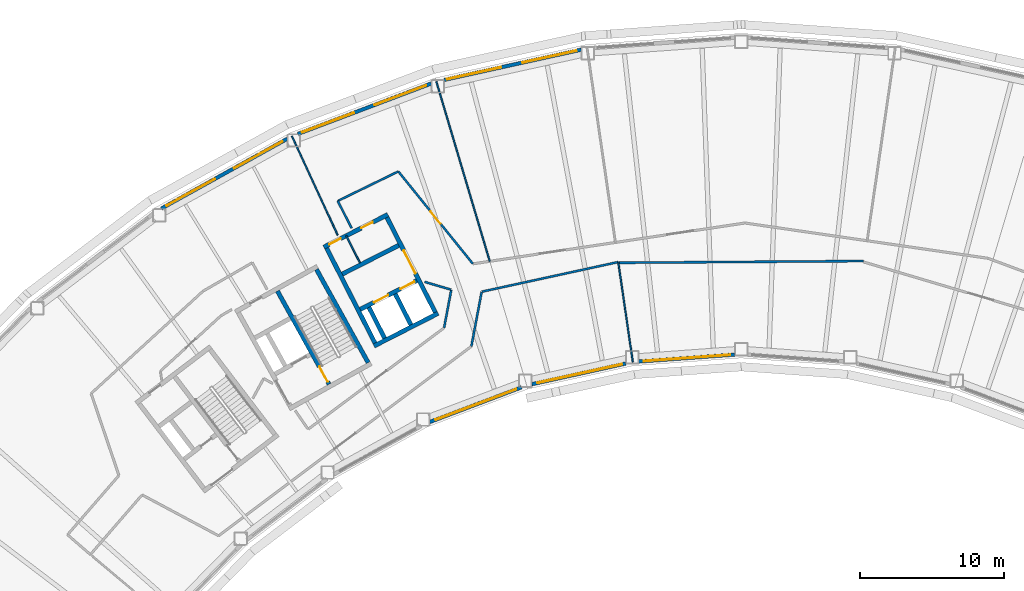
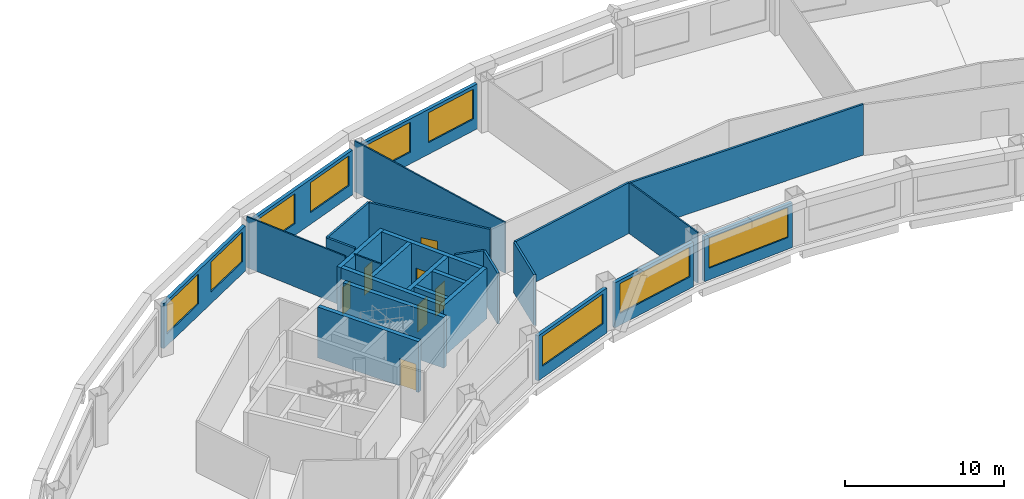
# One storey, part 6 of 12: 28 walls, 9 windows, 7 doors, 16 openings.
"""IFC4 building model written with IfcOpenShell, lengths in metres."""

from ifc_helpers import new_model, si_unit, direction, frame, frame_2d, origin, place, context, subcontext, project, spatial, rectangle, extrude, material, layer, layer_set, type_object, element, fill, save


model = new_model("IFC4")

# Units and contexts
model_context = context("Model", 3, precision=1e-05, world=origin(), true_north=direction((0.0, 1.0)))
body_context = subcontext(model_context, "Body", "Model", "MODEL_VIEW")
ifc_project = project(units=[si_unit("LENGTHUNIT", "METRE"), si_unit("AREAUNIT", "SQUARE_METRE"), si_unit("VOLUMEUNIT", "CUBIC_METRE"), si_unit("PLANEANGLEUNIT", "RADIAN"), si_unit("MASSUNIT", "GRAM", prefix="KILO")], contexts=[model_context])

# Site, building, storey
site_placement = place(None, origin())
site = spatial("IfcSite", under=ifc_project, at=site_placement, CompositionType="ELEMENT")
building_placement = place(site_placement, origin())
building = spatial("IfcBuilding", under=site, at=building_placement, Name="Tuul Gate Civic Tower", CompositionType="ELEMENT")
storey_placement = place(building_placement, frame((0.0, 0.0, 176.300048828125)))
storey = spatial("IfcBuildingStorey", under=building, at=storey_placement, Name="Level 40", CompositionType="ELEMENT", Elevation=176.300048828125)

# Wall
ifc_material_1 = material(Name="Concrete C50/60", Category="concrete")
ifc_layer_1 = layer(ifc_material_1, 0.300048828125)
ifc_layer_set_1 = layer_set([ifc_layer_1], Name="Concrete C50/60")
wall_type_1 = type_object("IfcWallType", Name="Core wall C50/60", PredefinedType="SHEAR", material=ifc_layer_set_1)
wall_1_placement = place(storey_placement, frame((-24.91552734375, -8.6572265625, 0.0), z_axis=(0.0, 0.0, 1.0), x_axis=(-0.484777133038, 0.874637714304, 0.0)))
element("IfcWall", 1, at=wall_1_placement, inside=storey, type_object=wall_type_1, Name="Core wall", PredefinedType="SHEAR", context=body_context, shape_type="SweptSolid", body=[
    extrude(rectangle(XDim=7.400146484375, YDim=0.300048828125, at=frame_2d((3.7001953125, 0.0))), origin(), (0.0, 0.0, 1.0), 3.89990234375),
])

# Wall, opening, door
wall_2_placement = place(storey_placement, frame((-27.626953125, -10.16015625, 0.0), z_axis=(0.0, 0.0, 1.0), x_axis=(-0.484751894226, 0.874651702704, 0.0)))
wall_2 = element("IfcWall", 2, at=wall_2_placement, inside=storey, type_object=wall_type_1, Name="Core wall", PredefinedType="SHEAR", context=body_context, shape_type="SweptSolid", body=[
    extrude(rectangle(XDim=7.39990234375, YDim=0.300048828125, at=frame_2d((3.699951171875, 0.0))), origin(), (0.0, 0.0, 1.0), 3.89990234375),
])
opening_1_placement = place(wall_2_placement, frame((0.199951171875, 0.0, 0.0)))
opening_1 = element("IfcOpeningElement", 3, at=opening_1_placement, cuts=wall_2, Name="Opening SD-ST-2", PredefinedType="OPENING", context=body_context, shape_type="SweptSolid", body=[
    extrude(rectangle(XDim=1.199951171875, YDim=2.10009765625, at=frame_2d((0.60009765625, 1.050048828125))), frame((0.0, 0.16015625, 0.0), z_axis=(0.0, -1.0, 0.0), x_axis=(1.0, 0.0, 0.0)), (0.0, 0.0, 1.0), 0.320068359375),
])
ifc_material_2 = material(Name="Steel", Category="steel")
door_type_1 = type_object("IfcDoorType", Name="Stair door", OperationType="NOTDEFINED", PredefinedType="DOOR", material=ifc_material_2)
door_1_placement = place(opening_1_placement, origin())
door_1 = element("IfcDoor", 4, at=door_1_placement, inside=storey, type_object=door_type_1, Name="Stair door ST-2", OperationType="SINGLE_SWING_LEFT", OverallHeight=2.10009765625, OverallWidth=1.199951171875, PredefinedType="DOOR", context=body_context, shape_type="SweptSolid", body=[
    extrude(rectangle(XDim=1.199951171875, YDim=2.10009765625, at=frame_2d((0.60009765625, 1.050048828125))), frame((0.0, 0.02490234375, 0.0), z_axis=(0.0, -1.0, 0.0), x_axis=(1.0, 0.0, 0.0)), (0.0, 0.0, 1.0), 0.050048828125),
])
fill(opening_1, door_1)

# Wall
ifc_material_3 = material(Name="Gypsum board partition")
ifc_layer_2 = layer(ifc_material_3, 0.14990234375)
ifc_layer_set_2 = layer_set([ifc_layer_2], Name="Gypsum board partition")
wall_type_2 = type_object("IfcWallType", Name="Corridor wall P150", PredefinedType="PARTITIONING", material=ifc_layer_set_2)
wall_3_placement = place(storey_placement, frame((-7.50390625, -1.724365234375, 0.0), z_axis=(0.0, 0.0, 1.0), x_axis=(0.999974995686, 0.007071633673, 0.0)))
element("IfcWall", 5, at=wall_3_placement, inside=storey, type_object=wall_type_2, Name="p022", PredefinedType="PARTITIONING", context=body_context, shape_type="SweptSolid", body=[
    extrude(rectangle(XDim=16.98583984375, YDim=0.14990234375, at=frame_2d((8.492919921875, 0.0))), origin(), (0.0, 0.0, 1.0), 3.89990234375),
])

# Wall, opening, door
wall_4_placement = place(storey_placement, frame((-22.818115234375, 4.618408203125, 0.0), z_axis=(0.0, 0.0, 1.0), x_axis=(0.628081012435, -0.778147956252, 0.0)))
wall_4 = element("IfcWall", 6, at=wall_4_placement, inside=storey, type_object=wall_type_2, Name="p023", PredefinedType="PARTITIONING", context=body_context, shape_type="SweptSolid", body=[
    extrude(rectangle(XDim=8.233642578125, YDim=0.14990234375, at=frame_2d((4.11669921875, 0.0))), origin(), (0.0, 0.0, 1.0), 3.89990234375),
])
opening_2_placement = place(wall_4_placement, frame((3.56689453125, 0.0, 0.0)))
opening_2 = element("IfcOpeningElement", 7, at=opening_2_placement, cuts=wall_4, Name="Opening N-D06", PredefinedType="OPENING", context=body_context, shape_type="SweptSolid", body=[
    extrude(rectangle(XDim=1.10009765625, YDim=2.10009765625, at=frame_2d((0.550048828125, 1.050048828125))), frame((0.0, 0.0849609375, 0.0), z_axis=(0.0, -1.0, 0.0), x_axis=(1.0, 0.0, 0.0)), (0.0, 0.0, 1.0), 0.169921875),
])
ifc_material_4 = material(Name="Timber door leaf", Category="wood")
door_type_2 = type_object("IfcDoorType", Name="Door D11", OperationType="NOTDEFINED", PredefinedType="DOOR", material=ifc_material_4)
door_2_placement = place(opening_2_placement, origin())
door_2 = element("IfcDoor", 8, at=door_2_placement, inside=storey, type_object=door_type_2, Name="Door N-D06", OperationType="SINGLE_SWING_RIGHT", OverallHeight=2.10009765625, OverallWidth=1.10009765625, PredefinedType="DOOR", context=body_context, shape_type="SweptSolid", body=[
    extrude(rectangle(XDim=1.10009765625, YDim=2.10009765625, at=frame_2d((0.550048828125, 1.050048828125))), frame((0.0, 0.02490234375, 0.0), z_axis=(0.0, -1.0, 0.0), x_axis=(1.0, 0.0, 0.0)), (0.0, 0.0, 1.0), 0.050048828125),
])
fill(opening_2, door_2)

# Walls
wall_5_placement = place(storey_placement, frame((-27.026123046875, 2.569580078125, 0.0), z_axis=(0.0, 0.0, 1.0), x_axis=(0.899042531126, 0.437861310494, 0.0)))
element("IfcWall", 9, at=wall_5_placement, inside=storey, type_object=wall_type_2, Name="p024", PredefinedType="PARTITIONING", context=body_context, shape_type="SweptSolid", body=[
    extrude(rectangle(XDim=4.6796875, YDim=0.14990234375, at=frame_2d((2.33984375, 0.0))), origin(), (0.0, 0.0, 1.0), 3.89990234375),
])
wall_6_placement = place(storey_placement, frame((-27.0263671875, 2.56884765625, 0.0), z_axis=(0.0, 0.0, 1.0), x_axis=(0.454024199229, -0.890989352638, 0.0)))
element("IfcWall", 10, at=wall_6_placement, inside=storey, type_object=wall_type_2, Name="p025", PredefinedType="PARTITIONING", context=body_context, shape_type="SweptSolid", body=[
    extrude(rectangle(XDim=2.1181640625, YDim=0.14990234375, at=frame_2d((1.05908203125, 0.0))), origin(), (0.0, 0.0, 1.0), 3.89990234375),
])
wall_7_placement = place(storey_placement, frame((-20.991943359375, -3.051513671875, 0.0), z_axis=(0.0, 0.0, 1.0), x_axis=(0.959507772574, -0.281682151315, 0.0)))
element("IfcWall", 11, at=wall_7_placement, inside=storey, type_object=wall_type_2, Name="p027", PredefinedType="PARTITIONING", context=body_context, shape_type="SweptSolid", body=[
    extrude(rectangle(XDim=1.9111328125, YDim=0.14990234375, at=frame_2d((0.95556640625, 0.0))), origin(), (0.0, 0.0, 1.0), 3.89990234375),
])
wall_8_placement = place(storey_placement, frame((-19.64013671875, -6.236572265625, 0.0), z_axis=(0.0, 0.0, 1.0), x_axis=(0.185784311732, 0.982590550287, 0.0)))
element("IfcWall", 12, at=wall_8_placement, inside=storey, type_object=wall_type_2, Name="p028", PredefinedType="PARTITIONING", context=body_context, shape_type="SweptSolid", body=[
    extrude(rectangle(XDim=2.670166015625, YDim=0.14990234375, at=frame_2d((1.3349609375, 0.0))), origin(), (0.0, 0.0, 1.0), 3.89990234375),
])
wall_9_placement = place(storey_placement, frame((-17.74658203125, -7.526123046875, 0.0), z_axis=(0.0, 0.0, 1.0), x_axis=(0.185717767459, 0.98260312988, 0.0)))
element("IfcWall", 13, at=wall_9_placement, inside=storey, type_object=wall_type_2, Name="p045", PredefinedType="PARTITIONING", context=body_context, shape_type="SweptSolid", body=[
    extrude(rectangle(XDim=3.846435546875, YDim=0.14990234375, at=frame_2d((1.92333984375, 0.0))), origin(), (0.0, 0.0, 1.0), 3.89990234375),
])
wall_10_placement = place(storey_placement, frame((-17.016845703125, -3.730712890625, 0.0), z_axis=(0.0, 0.0, 1.0), x_axis=(0.97717886456, 0.212418141074, 0.0)))
element("IfcWall", 14, at=wall_10_placement, inside=storey, type_object=wall_type_2, Name="p046", PredefinedType="PARTITIONING", context=body_context, shape_type="SweptSolid", body=[
    extrude(rectangle(XDim=9.6923828125, YDim=0.14990234375, at=frame_2d((4.84619140625, 0.0))), origin(), (0.0, 0.0, 1.0), 3.89990234375),
])

# Wall, openings, windows
ifc_material_5 = material(Name="Precast concrete C40/50", Category="concrete")
ifc_layer_3 = layer(ifc_material_5, 0.25)
ifc_layer_set_3 = layer_set([ifc_layer_3], Name="Precast concrete C40/50")
wall_type_3 = type_object("IfcWallType", Name="External wall", PredefinedType="STANDARD", material=ifc_layer_set_3)
wall_11_placement = place(storey_placement, frame((-10.110107421875, 13.078125, 0.0), z_axis=(0.0, 0.0, 1.0), x_axis=(-0.976559525993, -0.215247513789, 0.0)))
wall_11 = element("IfcWall", 15, at=wall_11_placement, inside=storey, type_object=wall_type_3, Name="External wall", PredefinedType="STANDARD", context=body_context, shape_type="SweptSolid", body=[
    extrude(rectangle(XDim=9.755615234375, YDim=0.25, at=frame_2d((4.8779296875, 0.0))), origin(), (0.0, 0.0, 1.0), 3.449951171875),
])
opening_3_placement = place(wall_11_placement, frame((0.338623046875, 0.0, 0.89990234375)))
opening_3 = element("IfcOpeningElement", 16, at=opening_3_placement, cuts=wall_11, Name="Opening W22", PredefinedType="OPENING", context=body_context, shape_type="SweptSolid", body=[
    extrude(rectangle(XDim=3.85009765625, YDim=2.300048828125, at=frame_2d((1.925048828125, 1.14990234375))), frame((0.0, 0.135009765625, 0.0), z_axis=(0.0, -1.0, 0.0), x_axis=(1.0, 0.0, 0.0)), (0.0, 0.0, 1.0), 0.27001953125),
])
opening_4_placement = place(wall_11_placement, frame((5.70947265625, 0.0, 0.89990234375)))
opening_4 = element("IfcOpeningElement", 17, at=opening_4_placement, cuts=wall_11, Name="Opening W22", PredefinedType="OPENING", context=body_context, shape_type="SweptSolid", body=[
    extrude(rectangle(XDim=3.85009765625, YDim=2.300048828125, at=frame_2d((1.925048828125, 1.14990234375))), frame((0.0, 0.135009765625, 0.0), z_axis=(0.0, -1.0, 0.0), x_axis=(1.0, 0.0, 0.0)), (0.0, 0.0, 1.0), 0.27001953125),
])
ifc_material_6 = material(Name="Glass", Category="glass")
window_type_1 = type_object("IfcWindowType", Name="Window W22 3850 x 2300", PartitioningType="SINGLE_PANEL", PredefinedType="WINDOW", material=ifc_material_6)
window_1_placement = place(opening_3_placement, origin())
window_1 = element("IfcWindow", 18, at=window_1_placement, inside=storey, type_object=window_type_1, Name="Window", OverallHeight=2.300048828125, OverallWidth=3.85009765625, PartitioningType="SINGLE_PANEL", PredefinedType="WINDOW", context=body_context, shape_type="SweptSolid", body=[
    extrude(rectangle(XDim=3.85009765625, YDim=2.300048828125, at=frame_2d((1.925048828125, 1.14990234375))), frame((0.0, 0.030029296875, 0.0), z_axis=(0.0, -1.0, 0.0), x_axis=(1.0, 0.0, 0.0)), (0.0, 0.0, 1.0), 0.06005859375),
])
fill(opening_3, window_1)
window_2_placement = place(opening_4_placement, origin())
window_2 = element("IfcWindow", 19, at=window_2_placement, inside=storey, type_object=window_type_1, Name="Window", OverallHeight=2.300048828125, OverallWidth=3.85009765625, PartitioningType="SINGLE_PANEL", PredefinedType="WINDOW", context=body_context, shape_type="SweptSolid", body=[
    extrude(rectangle(XDim=3.85009765625, YDim=2.300048828125, at=frame_2d((1.925048828125, 1.14990234375))), frame((0.0, 0.030029296875, 0.0), z_axis=(0.0, -1.0, 0.0), x_axis=(1.0, 0.0, 0.0)), (0.0, 0.0, 1.0), 0.06005859375),
])
fill(opening_4, window_2)

wall_12_placement = place(storey_placement, frame((-20.537109375, 10.7236328125, 0.0), z_axis=(0.0, 0.0, 1.0), x_axis=(-0.935342915264, -0.353742322694, 0.0)))
wall_12 = element("IfcWall", 20, at=wall_12_placement, inside=storey, type_object=wall_type_3, Name="External wall", PredefinedType="STANDARD", context=body_context, shape_type="SweptSolid", body=[
    extrude(rectangle(XDim=9.904541015625, YDim=0.25, at=frame_2d((4.9521484375, 0.0))), origin(), (0.0, 0.0, 1.0), 3.449951171875),
])
opening_5_placement = place(wall_12_placement, frame((0.369140625, 0.0, 0.89990234375)))
opening_5 = element("IfcOpeningElement", 21, at=opening_5_placement, cuts=wall_12, Name="Opening W22", PredefinedType="OPENING", context=body_context, shape_type="SweptSolid", body=[
    extrude(rectangle(XDim=3.85009765625, YDim=2.300048828125, at=frame_2d((1.925048828125, 1.14990234375))), frame((0.0, 0.135009765625, 0.0), z_axis=(0.0, -1.0, 0.0), x_axis=(1.0, 0.0, 0.0)), (0.0, 0.0, 1.0), 0.27001953125),
])
opening_6_placement = place(wall_12_placement, frame((5.740478515625, 0.0, 0.89990234375)))
opening_6 = element("IfcOpeningElement", 22, at=opening_6_placement, cuts=wall_12, Name="Opening W22", PredefinedType="OPENING", context=body_context, shape_type="SweptSolid", body=[
    extrude(rectangle(XDim=3.85009765625, YDim=2.300048828125, at=frame_2d((1.925048828125, 1.14990234375))), frame((0.0, 0.135009765625, 0.0), z_axis=(0.0, -1.0, 0.0), x_axis=(1.0, 0.0, 0.0)), (0.0, 0.0, 1.0), 0.27001953125),
])
window_3_placement = place(opening_5_placement, origin())
window_3 = element("IfcWindow", 23, at=window_3_placement, inside=storey, type_object=window_type_1, Name="Window", OverallHeight=2.300048828125, OverallWidth=3.85009765625, PartitioningType="SINGLE_PANEL", PredefinedType="WINDOW", context=body_context, shape_type="SweptSolid", body=[
    extrude(rectangle(XDim=3.85009765625, YDim=2.300048828125, at=frame_2d((1.925048828125, 1.14990234375))), frame((0.0, 0.030029296875, 0.0), z_axis=(0.0, -1.0, 0.0), x_axis=(1.0, 0.0, 0.0)), (0.0, 0.0, 1.0), 0.06005859375),
])
fill(opening_5, window_3)
window_4_placement = place(opening_6_placement, origin())
window_4 = element("IfcWindow", 24, at=window_4_placement, inside=storey, type_object=window_type_1, Name="Window", OverallHeight=2.300048828125, OverallWidth=3.85009765625, PartitioningType="SINGLE_PANEL", PredefinedType="WINDOW", context=body_context, shape_type="SweptSolid", body=[
    extrude(rectangle(XDim=3.85009765625, YDim=2.300048828125, at=frame_2d((1.925048828125, 1.14990234375))), frame((0.0, 0.030029296875, 0.0), z_axis=(0.0, -1.0, 0.0), x_axis=(1.0, 0.0, 0.0)), (0.0, 0.0, 1.0), 0.06005859375),
])
fill(opening_6, window_4)

wall_13_placement = place(storey_placement, frame((-30.52392578125, 6.891357421875, 0.0), z_axis=(0.0, 0.0, 1.0), x_axis=(-0.874633566806, -0.484784615903, 0.0)))
wall_13 = element("IfcWall", 25, at=wall_13_placement, inside=storey, type_object=wall_type_3, Name="External wall", PredefinedType="STANDARD", context=body_context, shape_type="SweptSolid", body=[
    extrude(rectangle(XDim=10.001220703125, YDim=0.25, at=frame_2d((5.00048828125, 0.0))), origin(), (0.0, 0.0, 1.0), 3.449951171875),
])
opening_7_placement = place(wall_13_placement, frame((0.39306640625, 0.0, 0.89990234375)))
opening_7 = element("IfcOpeningElement", 26, at=opening_7_placement, cuts=wall_13, Name="Opening W22", PredefinedType="OPENING", context=body_context, shape_type="SweptSolid", body=[
    extrude(rectangle(XDim=3.85009765625, YDim=2.300048828125, at=frame_2d((1.925048828125, 1.14990234375))), frame((0.0, 0.135009765625, 0.0), z_axis=(0.0, -1.0, 0.0), x_axis=(1.0, 0.0, 0.0)), (0.0, 0.0, 1.0), 0.27001953125),
])
opening_8_placement = place(wall_13_placement, frame((5.764404296875, 0.0, 0.89990234375)))
opening_8 = element("IfcOpeningElement", 27, at=opening_8_placement, cuts=wall_13, Name="Opening W22", PredefinedType="OPENING", context=body_context, shape_type="SweptSolid", body=[
    extrude(rectangle(XDim=3.85009765625, YDim=2.300048828125, at=frame_2d((1.925048828125, 1.14990234375))), frame((0.0, 0.135009765625, 0.0), z_axis=(0.0, -1.0, 0.0), x_axis=(1.0, 0.0, 0.0)), (0.0, 0.0, 1.0), 0.27001953125),
])
window_5_placement = place(opening_7_placement, origin())
window_5 = element("IfcWindow", 28, at=window_5_placement, inside=storey, type_object=window_type_1, Name="Window", OverallHeight=2.300048828125, OverallWidth=3.85009765625, PartitioningType="SINGLE_PANEL", PredefinedType="WINDOW", context=body_context, shape_type="SweptSolid", body=[
    extrude(rectangle(XDim=3.85009765625, YDim=2.300048828125, at=frame_2d((1.925048828125, 1.14990234375))), frame((0.0, 0.030029296875, 0.0), z_axis=(0.0, -1.0, 0.0), x_axis=(1.0, 0.0, 0.0)), (0.0, 0.0, 1.0), 0.06005859375),
])
fill(opening_7, window_5)
window_6_placement = place(opening_8_placement, origin())
window_6 = element("IfcWindow", 29, at=window_6_placement, inside=storey, type_object=window_type_1, Name="Window", OverallHeight=2.300048828125, OverallWidth=3.85009765625, PartitioningType="SINGLE_PANEL", PredefinedType="WINDOW", context=body_context, shape_type="SweptSolid", body=[
    extrude(rectangle(XDim=3.85009765625, YDim=2.300048828125, at=frame_2d((1.925048828125, 1.14990234375))), frame((0.0, 0.030029296875, 0.0), z_axis=(0.0, -1.0, 0.0), x_axis=(1.0, 0.0, 0.0)), (0.0, 0.0, 1.0), 0.06005859375),
])
fill(opening_8, window_6)

# Wall, opening, window
wall_14_placement = place(storey_placement, frame((-20.64697265625, -12.78515625, 0.0), z_axis=(0.0, 0.0, 1.0), x_axis=(0.935360534404, 0.353695731779, 0.0)))
wall_14 = element("IfcWall", 30, at=wall_14_placement, inside=storey, type_object=wall_type_3, Name="External wall", PredefinedType="STANDARD", context=body_context, shape_type="SweptSolid", body=[
    extrude(rectangle(XDim=6.81982421875, YDim=0.25, at=frame_2d((3.409912109375, 0.0))), origin(), (0.0, 0.0, 1.0), 3.449951171875),
])
opening_9_placement = place(wall_14_placement, frame((0.43798828125, 0.0, 0.89990234375)))
opening_9 = element("IfcOpeningElement", 31, at=opening_9_placement, cuts=wall_14, Name="Opening W26", PredefinedType="OPENING", context=body_context, shape_type="SweptSolid", body=[
    extrude(rectangle(XDim=6.0, YDim=2.300048828125, at=frame_2d((3.0, 1.14990234375))), frame((0.0, 0.135009765625, 0.0), z_axis=(0.0, -1.0, 0.0), x_axis=(1.0, 0.0, 0.0)), (0.0, 0.0, 1.0), 0.27001953125),
])
ifc_material_7 = material(Name="Glass", Category="glass")
window_type_2 = type_object("IfcWindowType", Name="Window W26 6000 x 2300", PartitioningType="SINGLE_PANEL", PredefinedType="WINDOW", material=ifc_material_7)
window_7_placement = place(opening_9_placement, origin())
window_7 = element("IfcWindow", 32, at=window_7_placement, inside=storey, type_object=window_type_2, Name="Window", OverallHeight=2.300048828125, OverallWidth=6.0, PartitioningType="SINGLE_PANEL", PredefinedType="WINDOW", context=body_context, shape_type="SweptSolid", body=[
    extrude(rectangle(XDim=6.0, YDim=2.300048828125, at=frame_2d((3.0, 1.14990234375))), frame((0.0, 0.030029296875, 0.0), z_axis=(0.0, -1.0, 0.0), x_axis=(1.0, 0.0, 0.0)), (0.0, 0.0, 1.0), 0.06005859375),
])
fill(opening_9, window_7)

wall_15_placement = place(storey_placement, frame((-13.5458984375, -10.15625, 0.0), z_axis=(0.0, 0.0, 1.0), x_axis=(0.976558520258, 0.21525207667, 0.0)))
wall_15 = element("IfcWall", 33, at=wall_15_placement, inside=storey, type_object=wall_type_3, Name="External wall", PredefinedType="STANDARD", context=body_context, shape_type="SweptSolid", body=[
    extrude(rectangle(XDim=6.670166015625, YDim=0.25, at=frame_2d((3.3349609375, 0.0))), origin(), (0.0, 0.0, 1.0), 3.449951171875),
])
opening_10_placement = place(wall_15_placement, frame((0.406982421875, 0.0, 0.89990234375)))
opening_10 = element("IfcOpeningElement", 34, at=opening_10_placement, cuts=wall_15, Name="Opening W26", PredefinedType="OPENING", context=body_context, shape_type="SweptSolid", body=[
    extrude(rectangle(XDim=6.0, YDim=2.300048828125, at=frame_2d((3.0, 1.14990234375))), frame((0.0, 0.135009765625, 0.0), z_axis=(0.0, -1.0, 0.0), x_axis=(1.0, 0.0, 0.0)), (0.0, 0.0, 1.0), 0.27001953125),
])
window_8_placement = place(opening_10_placement, origin())
window_8 = element("IfcWindow", 35, at=window_8_placement, inside=storey, type_object=window_type_2, Name="Window", OverallHeight=2.300048828125, OverallWidth=6.0, PartitioningType="SINGLE_PANEL", PredefinedType="WINDOW", context=body_context, shape_type="SweptSolid", body=[
    extrude(rectangle(XDim=6.0, YDim=2.300048828125, at=frame_2d((3.0, 1.14990234375))), frame((0.0, 0.030029296875, 0.0), z_axis=(0.0, -1.0, 0.0), x_axis=(1.0, 0.0, 0.0)), (0.0, 0.0, 1.0), 0.06005859375),
])
fill(opening_10, window_8)

wall_16_placement = place(storey_placement, frame((-6.132080078125, -8.581787109375, 0.0), z_axis=(0.0, 0.0, 1.0), x_axis=(0.99738574908, 0.072261106633, 0.0)))
wall_16 = element("IfcWall", 36, at=wall_16_placement, inside=storey, type_object=wall_type_3, Name="External wall", PredefinedType="STANDARD", context=body_context, shape_type="SweptSolid", body=[
    extrude(rectangle(XDim=6.689697265625, YDim=0.25, at=frame_2d((3.3447265625, 0.0))), origin(), (0.0, 0.0, 1.0), 3.449951171875),
])
opening_11_placement = place(wall_16_placement, frame((0.3681640625, 0.0, 0.89990234375)))
opening_11 = element("IfcOpeningElement", 37, at=opening_11_placement, cuts=wall_16, Name="Opening W26", PredefinedType="OPENING", context=body_context, shape_type="SweptSolid", body=[
    extrude(rectangle(XDim=6.0, YDim=2.300048828125, at=frame_2d((3.0, 1.14990234375))), frame((0.0, 0.135009765625, 0.0), z_axis=(0.0, -1.0, 0.0), x_axis=(1.0, 0.0, 0.0)), (0.0, 0.0, 1.0), 0.27001953125),
])
window_9_placement = place(opening_11_placement, origin())
window_9 = element("IfcWindow", 38, at=window_9_placement, inside=storey, type_object=window_type_2, Name="Window", OverallHeight=2.300048828125, OverallWidth=6.0, PartitioningType="SINGLE_PANEL", PredefinedType="WINDOW", context=body_context, shape_type="SweptSolid", body=[
    extrude(rectangle(XDim=6.0, YDim=2.300048828125, at=frame_2d((3.0, 1.14990234375))), frame((0.0, 0.030029296875, 0.0), z_axis=(0.0, -1.0, 0.0), x_axis=(1.0, 0.0, 0.0)), (0.0, 0.0, 1.0), 0.06005859375),
])
fill(opening_11, window_9)

# Wall
ifc_material_8 = material(Name="Concrete C40/50", Category="concrete")
ifc_layer_4 = layer(ifc_material_8, 0.300048828125)
ifc_layer_set_4 = layer_set([ifc_layer_4], Name="Concrete C40/50")
wall_type_4 = type_object("IfcWallType", Name="Lift shaft wall C40/50", PredefinedType="STANDARD", material=ifc_layer_set_4)
wall_17_placement = place(storey_placement, frame((-20.049072265625, -5.232421875, 0.0), z_axis=(0.0, 0.0, 1.0), x_axis=(-0.891002976909, -0.453997461601, 0.0)))
element("IfcWall", 39, at=wall_17_placement, inside=storey, type_object=wall_type_4, Name="Shaft wall", PredefinedType="STANDARD", context=body_context, shape_type="SweptSolid", body=[
    extrude(rectangle(XDim=5.0, YDim=0.300048828125, at=frame_2d((2.5, 0.0))), origin(), (0.0, 0.0, 1.0), 3.89990234375),
])

# Wall, openings, doors
wall_18_placement = place(storey_placement, frame((-21.542236328125, -2.962890625, 0.0), z_axis=(0.0, 0.0, 1.0), x_axis=(-0.891005618941, -0.453992276384, 0.0)))
wall_18 = element("IfcWall", 40, at=wall_18_placement, inside=storey, type_object=wall_type_4, Name="Shaft wall", PredefinedType="STANDARD", context=body_context, shape_type="SweptSolid", body=[
    extrude(rectangle(XDim=4.39990234375, YDim=0.300048828125, at=frame_2d((2.199951171875, 0.0))), origin(), (0.0, 0.0, 1.0), 3.89990234375),
])
opening_12_placement = place(wall_18_placement, frame((0.175048828125, 0.0, 0.0)))
opening_12 = element("IfcOpeningElement", 41, at=opening_12_placement, cuts=wall_18, Name="Opening LD-M1", PredefinedType="OPENING", context=body_context, shape_type="SweptSolid", body=[
    extrude(rectangle(XDim=1.10009765625, YDim=2.10009765625, at=frame_2d((0.550048828125, 1.050048828125))), frame((0.0, 0.16015625, 0.0), z_axis=(0.0, -1.0, 0.0), x_axis=(1.0, 0.0, 0.0)), (0.0, 0.0, 1.0), 0.320068359375),
])
opening_13_placement = place(wall_18_placement, frame((2.22509765625, 0.0, 0.0)))
opening_13 = element("IfcOpeningElement", 42, at=opening_13_placement, cuts=wall_18, Name="Opening LD-M2", PredefinedType="OPENING", context=body_context, shape_type="SweptSolid", body=[
    extrude(rectangle(XDim=1.10009765625, YDim=2.10009765625, at=frame_2d((0.550048828125, 1.050048828125))), frame((0.0, 0.16015625, 0.0), z_axis=(0.0, -1.0, 0.0), x_axis=(1.0, 0.0, 0.0)), (0.0, 0.0, 1.0), 0.320068359375),
])
ifc_material_9 = material(Name="Stainless steel", Category="steel")
door_type_3 = type_object("IfcDoorType", Name="Landing door", OperationType="DOUBLE_DOOR_SLIDING", PredefinedType="DOOR", material=ifc_material_9)
door_3_placement = place(opening_12_placement, origin())
door_3 = element("IfcDoor", 43, at=door_3_placement, inside=storey, type_object=door_type_3, Name="Mid-rise lift M1 landing door", OperationType="DOUBLE_DOOR_SLIDING", OverallHeight=2.10009765625, OverallWidth=1.10009765625, PredefinedType="DOOR", context=body_context, shape_type="SweptSolid", body=[
    extrude(rectangle(XDim=1.10009765625, YDim=2.10009765625, at=frame_2d((0.550048828125, 1.050048828125))), frame((0.0, 0.02490234375, 0.0), z_axis=(0.0, -1.0, 0.0), x_axis=(1.0, 0.0, 0.0)), (0.0, 0.0, 1.0), 0.050048828125),
])
fill(opening_12, door_3)
door_4_placement = place(opening_13_placement, origin())
door_4 = element("IfcDoor", 44, at=door_4_placement, inside=storey, type_object=door_type_3, Name="Mid-rise lift M2 landing door", OperationType="DOUBLE_DOOR_SLIDING", OverallHeight=2.10009765625, OverallWidth=1.10009765625, PredefinedType="DOOR", context=body_context, shape_type="SweptSolid", body=[
    extrude(rectangle(XDim=1.10009765625, YDim=2.10009765625, at=frame_2d((0.550048828125, 1.050048828125))), frame((0.0, 0.02490234375, 0.0), z_axis=(0.0, -1.0, 0.0), x_axis=(1.0, 0.0, 0.0)), (0.0, 0.0, 1.0), 0.050048828125),
])
fill(opening_13, door_4)

# Wall
wall_19_placement = place(storey_placement, frame((-22.790771484375, -0.5126953125, 0.0), z_axis=(0.0, 0.0, 1.0), x_axis=(-0.891005618941, -0.453992276384, 0.0)))
element("IfcWall", 45, at=wall_19_placement, inside=storey, type_object=wall_type_4, Name="Shaft wall", PredefinedType="STANDARD", context=body_context, shape_type="SweptSolid", body=[
    extrude(rectangle(XDim=4.39990234375, YDim=0.300048828125, at=frame_2d((2.199951171875, 0.0))), origin(), (0.0, 0.0, 1.0), 3.89990234375),
])

# Wall, openings, doors
wall_20_placement = place(storey_placement, frame((-23.544921875, 1.62841796875, 0.0), z_axis=(0.0, 0.0, 1.0), x_axis=(-0.891002976909, -0.453997461601, 0.0)))
wall_20 = element("IfcWall", 46, at=wall_20_placement, inside=storey, type_object=wall_type_4, Name="Shaft wall", PredefinedType="STANDARD", context=body_context, shape_type="SweptSolid", body=[
    extrude(rectangle(XDim=5.0, YDim=0.300048828125, at=frame_2d((2.5, 0.0))), origin(), (0.0, 0.0, 1.0), 3.89990234375),
])
opening_14_placement = place(wall_20_placement, frame((1.175048828125, 0.0, 0.0)))
opening_14 = element("IfcOpeningElement", 47, at=opening_14_placement, cuts=wall_20, Name="Opening N-D19", PredefinedType="OPENING", context=body_context, shape_type="SweptSolid", body=[
    extrude(rectangle(XDim=0.89990234375, YDim=2.10009765625, at=frame_2d((0.449951171875, 1.050048828125))), frame((0.0, 0.16015625, 0.0), z_axis=(0.0, -1.0, 0.0), x_axis=(1.0, 0.0, 0.0)), (0.0, 0.0, 1.0), 0.320068359375),
])
opening_15_placement = place(wall_20_placement, frame((3.675048828125, 0.0, 0.0)))
opening_15 = element("IfcOpeningElement", 48, at=opening_15_placement, cuts=wall_20, Name="Opening N-D20", PredefinedType="OPENING", context=body_context, shape_type="SweptSolid", body=[
    extrude(rectangle(XDim=0.89990234375, YDim=2.10009765625, at=frame_2d((0.449951171875, 1.050048828125))), frame((0.0, 0.16015625, 0.0), z_axis=(0.0, -1.0, 0.0), x_axis=(1.0, 0.0, 0.0)), (0.0, 0.0, 1.0), 0.320068359375),
])
ifc_material_10 = material(Name="Timber door leaf", Category="wood")
door_type_4 = type_object("IfcDoorType", Name="Door D09", OperationType="NOTDEFINED", PredefinedType="DOOR", material=ifc_material_10)
door_5_placement = place(opening_14_placement, origin())
door_5 = element("IfcDoor", 49, at=door_5_placement, inside=storey, type_object=door_type_4, Name="Door N-D19", OperationType="SINGLE_SWING_RIGHT", OverallHeight=2.10009765625, OverallWidth=0.89990234375, PredefinedType="DOOR", context=body_context, shape_type="SweptSolid", body=[
    extrude(rectangle(XDim=0.89990234375, YDim=2.10009765625, at=frame_2d((0.449951171875, 1.050048828125))), frame((0.0, 0.02490234375, 0.0), z_axis=(0.0, -1.0, 0.0), x_axis=(1.0, 0.0, 0.0)), (0.0, 0.0, 1.0), 0.050048828125),
])
fill(opening_14, door_5)
door_6_placement = place(opening_15_placement, origin())
door_6 = element("IfcDoor", 50, at=door_6_placement, inside=storey, type_object=door_type_4, Name="Door N-D20", OperationType="SINGLE_SWING_LEFT", OverallHeight=2.10009765625, OverallWidth=0.89990234375, PredefinedType="DOOR", context=body_context, shape_type="SweptSolid", body=[
    extrude(rectangle(XDim=0.89990234375, YDim=2.10009765625, at=frame_2d((0.449951171875, 1.050048828125))), frame((0.0, 0.02490234375, 0.0), z_axis=(0.0, -1.0, 0.0), x_axis=(1.0, 0.0, 0.0)), (0.0, 0.0, 1.0), 0.050048828125),
])
fill(opening_15, door_6)

# Wall, opening, door
wall_21_placement = place(storey_placement, frame((-20.2509765625, -5.166748046875, 0.0), z_axis=(0.0, 0.0, 1.0), x_axis=(-0.45401029361, 0.89099643843, 0.0)))
wall_21 = element("IfcWall", 51, at=wall_21_placement, inside=storey, type_object=wall_type_4, Name="Shaft wall", PredefinedType="STANDARD", context=body_context, shape_type="SweptSolid", body=[
    extrude(rectangle(XDim=7.39990234375, YDim=0.300048828125, at=frame_2d((3.699951171875, 0.0))), origin(), (0.0, 0.0, 1.0), 3.89990234375),
])
opening_16_placement = place(wall_21_placement, frame((3.02490234375, 0.0, 0.0)))
opening_16 = element("IfcOpeningElement", 52, at=opening_16_placement, cuts=wall_21, Name="Opening LB-W3-LOBBY-1", PredefinedType="OPENING", context=body_context, shape_type="SweptSolid", body=[
    extrude(rectangle(XDim=1.800048828125, YDim=2.10009765625, at=frame_2d((0.89990234375, 1.050048828125))), frame((0.0, 0.16015625, 0.0), z_axis=(0.0, -1.0, 0.0), x_axis=(1.0, 0.0, 0.0)), (0.0, 0.0, 1.0), 0.320068359375),
])
ifc_material_11 = material(Name="Steel", Category="steel")
door_type_5 = type_object("IfcDoorType", Name="Lobby door", OperationType="DOUBLE_DOOR_SINGLE_SWING", PredefinedType="DOOR", material=ifc_material_11)
door_7_placement = place(opening_16_placement, origin())
door_7 = element("IfcDoor", 53, at=door_7_placement, inside=storey, type_object=door_type_5, Name="Lobby door W3-LOBBY", OperationType="DOUBLE_DOOR_SINGLE_SWING", OverallHeight=2.10009765625, OverallWidth=1.800048828125, PredefinedType="DOOR", context=body_context, shape_type="SweptSolid", body=[
    extrude(rectangle(XDim=1.800048828125, YDim=2.10009765625, at=frame_2d((0.89990234375, 1.050048828125))), frame((0.0, 0.02490234375, 0.0), z_axis=(0.0, -1.0, 0.0), x_axis=(1.0, 0.0, 0.0)), (0.0, 0.0, 1.0), 0.050048828125),
])
fill(opening_16, door_7)

# Walls
for number, where, z_axis, x_axis, name in (
    (54, (-21.94384765625, -6.029296875, 0.0), (0.0, 0.0, 1.0), (-0.45403702923, 0.890982814698, 0.0), "Shaft wall"),
    (55, (-23.770263671875, -6.960205078125, 0.0), (0.0, 0.0, 1.0), (-0.45399587725, 0.891003784189, 0.0), "Shaft wall"),
):
    element("IfcWall", number, at=place(storey_placement, frame(where, z_axis=z_axis, x_axis=x_axis)), inside=storey, type_object=wall_type_4, Name=name, PredefinedType="STANDARD", context=body_context, shape_type="SweptSolid", body=[
        extrude(rectangle(XDim=2.39990234375, YDim=0.300048828125, at=frame_2d((1.199951171875, 0.0))), origin(), (0.0, 0.0, 1.0), 3.89990234375),
    ])
wall_22_placement = place(storey_placement, frame((-24.438720703125, -7.300537109375, 0.0), z_axis=(0.0, 0.0, 1.0), x_axis=(-0.453984101083, 0.891009784438, 0.0)))
element("IfcWall", 56, at=wall_22_placement, inside=storey, type_object=wall_type_4, Name="Shaft wall", PredefinedType="STANDARD", context=body_context, shape_type="SweptSolid", body=[
    extrude(rectangle(XDim=7.399658203125, YDim=0.300048828125, at=frame_2d((3.69970703125, 0.0))), origin(), (0.0, 0.0, 1.0), 3.89990234375),
])
ifc_material_12 = material(Name="Gypsum board partition")
ifc_layer_5 = layer(ifc_material_12, 0.10009765625)
ifc_layer_set_5 = layer_set([ifc_layer_5], Name="Gypsum board partition")
wall_type_5 = type_object("IfcWallType", Name="Partition P100", PredefinedType="PARTITIONING", material=ifc_layer_set_5)
wall_23_placement = place(storey_placement, frame((-7.545654296875, -1.671875, 0.0), z_axis=(0.0, 0.0, 1.0), x_axis=(0.144138688161, -0.989557496346, 0.0)))
element("IfcWall", 57, at=wall_23_placement, inside=storey, type_object=wall_type_5, Name="p018", PredefinedType="PARTITIONING", context=body_context, shape_type="SweptSolid", body=[
    extrude(rectangle(XDim=7.017333984375, YDim=0.10009765625, at=frame_2d((3.5087890625, 0.0))), origin(), (0.0, 0.0, 1.0), 3.89990234375),
])
wall_24_placement = place(storey_placement, frame((-20.18115234375, 10.863525390625, 0.0), z_axis=(0.0, 0.0, 1.0), x_axis=(0.285208090691, -0.958465620147, 0.0)))
element("IfcWall", 58, at=wall_24_placement, inside=storey, type_object=wall_type_5, Name="p020", PredefinedType="PARTITIONING", context=body_context, shape_type="SweptSolid", body=[
    extrude(rectangle(XDim=13.02587890625, YDim=0.10009765625, at=frame_2d((6.512939453125, 0.0))), origin(), (0.0, 0.0, 1.0), 3.89990234375),
])
wall_25_placement = place(storey_placement, frame((-30.212890625, 7.069580078125, 0.0), z_axis=(0.0, 0.0, 1.0), x_axis=(0.420375009339, -0.907350456838, 0.0)))
element("IfcWall", 59, at=wall_25_placement, inside=storey, type_object=wall_type_5, Name="p021", PredefinedType="PARTITIONING", context=body_context, shape_type="SweptSolid", body=[
    extrude(rectangle(XDim=7.580810546875, YDim=0.10009765625, at=frame_2d((3.79052734375, 0.0))), origin(), (0.0, 0.0, 1.0), 3.89990234375),
])
wall_26_placement = place(storey_placement, frame((-25.4873046875, -1.71826171875, 0.0), z_axis=(0.0, 0.0, 1.0), x_axis=(-0.453990218702, 0.891006667384, 0.0)))
element("IfcWall", 60, at=wall_26_placement, inside=storey, type_object=wall_type_5, Name="bW3-BAND-0", PredefinedType="PARTITIONING", context=body_context, shape_type="SweptSolid", body=[
    extrude(rectangle(XDim=2.10009765625, YDim=0.10009765625, at=frame_2d((1.050048828125, 0.0))), origin(), (0.0, 0.0, 1.0), 3.89990234375),
])

save(model, "model.ifc")
